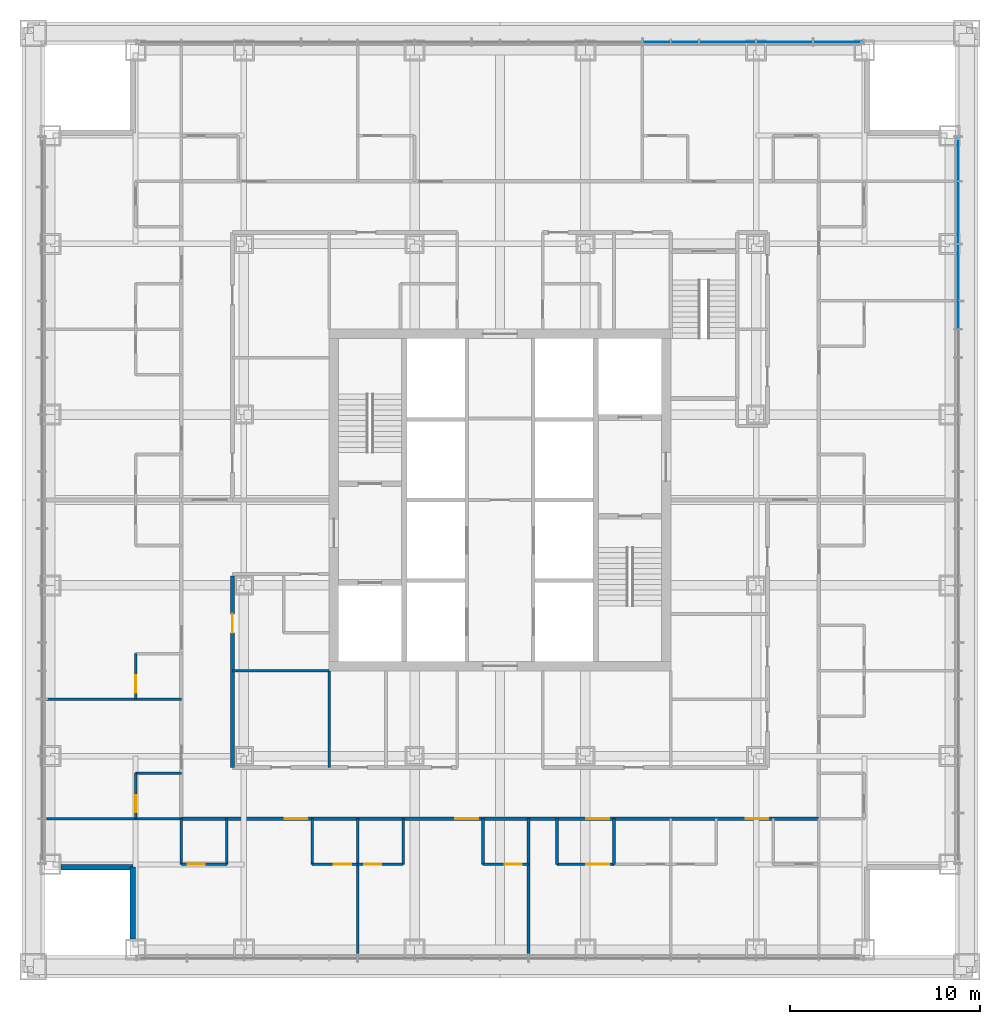
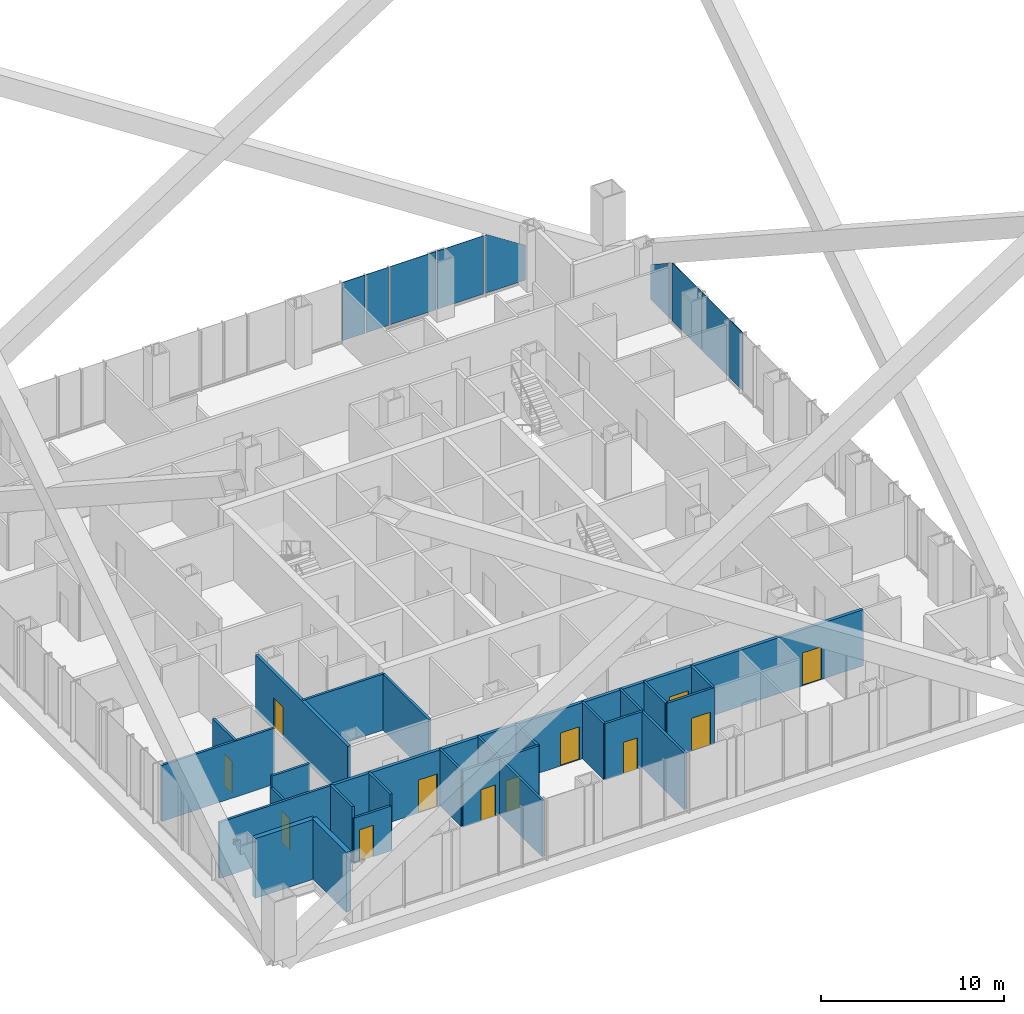
# One storey, part 11 of 21: 25 walls, 12 doors, 9 plates, 12 openings, 2 elements without a shape of their own.
"""IFC4 building model written with IfcOpenShell, lengths in metres."""

from ifc_helpers import new_model, si_unit, direction, frame, frame_2d, origin, origin_2d, place, context, subcontext, project, spatial, polyline, rectangle, outline, extrude, material, layer, layer_set, type_object, element, fill, aggregate, save


model = new_model("IFC4")

# Units and contexts
model_context = context("Model", 3, precision=1e-05, world=origin(), true_north=direction((0.0, 1.0)))
body_context = subcontext(model_context, "Body", "Model", "MODEL_VIEW")
ifc_project = project(units=[si_unit("LENGTHUNIT", "METRE"), si_unit("AREAUNIT", "SQUARE_METRE"), si_unit("VOLUMEUNIT", "CUBIC_METRE"), si_unit("PLANEANGLEUNIT", "RADIAN"), si_unit("MASSUNIT", "GRAM", prefix="KILO")], contexts=[model_context])

# Site, building, storey
site_placement = place(None, origin())
site = spatial("IfcSite", under=ifc_project, at=site_placement, CompositionType="ELEMENT")
building_placement = place(site_placement, origin())
building = spatial("IfcBuilding", under=site, at=building_placement, Name="Malebo Sky Hospital", CompositionType="ELEMENT")
storey_placement = place(building_placement, frame((0.0, 0.0, 140.0)))
storey = spatial("IfcBuildingStorey", under=building, at=storey_placement, Name="L33", CompositionType="ELEMENT", Elevation=140.0)

# Curtain wall, plates
ifc_material_1 = material(Name="Anodised aluminium, natural silver", Category="aluminium")
ifc_layer_1 = layer(ifc_material_1, 0.25)
ifc_layer_set_1 = layer_set([ifc_layer_1], Name="WARD CURTAIN WALL NORTH AND SOUTH")
curtain_wall_type_1 = type_object("IfcCurtainWallType", Name="WARD CURTAIN WALL NORTH AND SOUTH", PredefinedType="NOTDEFINED", material=ifc_layer_set_1)
curtain_wall_1_placement = place(storey_placement, origin())
curtain_wall_1 = element("IfcCurtainWall", 1, at=curtain_wall_1_placement, inside=storey, type_object=curtain_wall_type_1, Name="NS curtain wall N", PredefinedType="NOTDEFINED")
ifc_material_2 = material(Name="Clear low-iron double glazing", Category="glass")
ifc_layer_2 = layer(ifc_material_2, 0.031982421875)
ifc_layer_set_2 = layer_set([ifc_layer_2], Name="VISION PANEL CLEAR 32")
plate_type = type_object("IfcPlateType", Name="VISION PANEL CLEAR 32", PredefinedType="CURTAIN_PANEL", material=ifc_layer_set_2)
plate_1_placement = place(storey_placement, frame((68.25, 86.135009765625, 0.10009765625), z_axis=(0.0, 0.0, 1.0), x_axis=(1.0, 0.0, 0.0)))
plate_1 = element("IfcPlate", 2, at=plate_1_placement, type_object=plate_type, Name="Panel 12", PredefinedType="CURTAIN_PANEL", context=body_context, shape_type="SweptSolid", body=[
    extrude(rectangle(XDim=1.425048828125, YDim=0.031982421875, at=origin_2d()), origin(), (0.0, 0.0, 1.0), 3.889892578125),
])
plate_2_placement = place(storey_placement, frame((69.75, 86.135009765625, 0.10009765625), z_axis=(0.0, 0.0, 1.0), x_axis=(1.0, 0.0, 0.0)))
plate_2 = element("IfcPlate", 3, at=plate_2_placement, type_object=plate_type, Name="Panel 13", PredefinedType="CURTAIN_PANEL", context=body_context, shape_type="SweptSolid", body=[
    extrude(rectangle(XDim=1.425048828125, YDim=0.031982421875, at=origin_2d()), origin(), (0.0, 0.0, 1.0), 3.889892578125),
])
plate_3_placement = place(storey_placement, frame((72.0, 86.135009765625, 0.10009765625), z_axis=(0.0, 0.0, 1.0), x_axis=(1.0, 0.0, 0.0)))
plate_3 = element("IfcPlate", 4, at=plate_3_placement, type_object=plate_type, Name="Panel 14", PredefinedType="CURTAIN_PANEL", context=body_context, shape_type="SweptSolid", body=[
    extrude(rectangle(XDim=2.925048828125, YDim=0.031982421875, at=origin_2d()), origin(), (0.0, 0.0, 1.0), 3.889892578125),
])
plate_4_placement = place(storey_placement, frame((75.0, 86.135009765625, 0.10009765625), z_axis=(0.0, 0.0, 1.0), x_axis=(1.0, 0.0, 0.0)))
plate_4 = element("IfcPlate", 5, at=plate_4_placement, type_object=plate_type, Name="Panel 15", PredefinedType="CURTAIN_PANEL", context=body_context, shape_type="SweptSolid", body=[
    extrude(rectangle(XDim=2.925048828125, YDim=0.031982421875, at=origin_2d()), origin(), (0.0, 0.0, 1.0), 3.889892578125),
])
plate_5_placement = place(storey_placement, frame((77.831298828125, 86.135009765625, 0.10009765625), z_axis=(0.0, 0.0, 1.0), x_axis=(1.0, 0.0, 0.0)))
plate_5 = element("IfcPlate", 6, at=plate_5_placement, type_object=plate_type, Name="Panel 16", PredefinedType="CURTAIN_PANEL", context=body_context, shape_type="SweptSolid", body=[
    extrude(outline(polyline([(-1.293701171875, 0.0), (1.293701171875, 0.0), (1.293701171875, 2.31494140625), (-1.1279296875, 3.889892578125), (-1.293701171875, 3.889892578125), (-1.293701171875, 0.0)])), frame((0.0, 0.01611328125, 0.0), z_axis=(0.0, -1.0, 0.0), x_axis=(1.0, 0.0, 0.0)), (0.0, 0.0, 1.0), 0.031982421875),
])
aggregate(curtain_wall_1, [plate_1, plate_2, plate_3, plate_4, plate_5])

ifc_layer_3 = layer(ifc_material_1, 0.25)
ifc_layer_set_3 = layer_set([ifc_layer_3], Name="WARD CURTAIN WALL EAST AND WEST")
curtain_wall_type_2 = type_object("IfcCurtainWallType", Name="WARD CURTAIN WALL EAST AND WEST", PredefinedType="NOTDEFINED", material=ifc_layer_set_3)
curtain_wall_2_placement = place(storey_placement, origin())
curtain_wall_2 = element("IfcCurtainWall", 7, at=curtain_wall_2_placement, inside=storey, type_object=curtain_wall_type_2, Name="EW curtain wall E", PredefinedType="NOTDEFINED")
plate_6_placement = place(storey_placement, frame((84.135009765625, 79.981201171875, 0.10009765625), z_axis=(0.0, 0.0, 1.0), x_axis=(0.0, -1.0, 0.0)))
plate_6 = element("IfcPlate", 8, at=plate_6_placement, type_object=plate_type, Name="Panel 1", PredefinedType="CURTAIN_PANEL", context=body_context, shape_type="SweptSolid", body=[
    extrude(outline(polyline([(-1.143798828125, 0.0), (1.143798828125, 0.0), (1.143798828125, 3.802734375), (-1.143798828125, 2.31494140625), (-1.143798828125, 0.0)])), frame((0.0, 0.01611328125, 0.0), z_axis=(0.0, -1.0, 0.0), x_axis=(1.0, 0.0, 0.0)), (0.0, 0.0, 1.0), 0.031982421875),
])
plate_7_placement = place(storey_placement, frame((84.135009765625, 77.14990234375, 0.10009765625), z_axis=(0.0, 0.0, 1.0), x_axis=(0.0, -1.0, 0.0)))
plate_7 = element("IfcPlate", 9, at=plate_7_placement, type_object=plate_type, Name="Panel 2", PredefinedType="CURTAIN_PANEL", context=body_context, shape_type="SweptSolid", body=[
    extrude(outline(polyline([(-1.612548828125, 0.0), (1.612548828125, 0.0), (1.612548828125, 3.889892578125), (-1.553466796875, 3.889892578125), (-1.612548828125, 3.8515625), (-1.612548828125, 0.0)])), frame((0.0, 0.01611328125, 0.0), z_axis=(0.0, -1.0, 0.0), x_axis=(1.0, 0.0, 0.0)), (0.0, 0.0, 1.0), 0.031982421875),
])
plate_8_placement = place(storey_placement, frame((84.135009765625, 74.0, 0.10009765625), z_axis=(0.0, 0.0, 1.0), x_axis=(0.0, -1.0, 0.0)))
plate_8 = element("IfcPlate", 10, at=plate_8_placement, type_object=plate_type, Name="Panel 3", PredefinedType="CURTAIN_PANEL", context=body_context, shape_type="SweptSolid", body=[
    extrude(rectangle(XDim=2.925048828125, YDim=0.031982421875, at=origin_2d()), origin(), (0.0, 0.0, 1.0), 3.889892578125),
])
plate_9_placement = place(storey_placement, frame((84.135009765625, 71.75, 0.10009765625), z_axis=(0.0, 0.0, 1.0), x_axis=(0.0, -1.0, 0.0)))
plate_9 = element("IfcPlate", 11, at=plate_9_placement, type_object=plate_type, Name="Panel 4", PredefinedType="CURTAIN_PANEL", context=body_context, shape_type="SweptSolid", body=[
    extrude(rectangle(XDim=1.425048828125, YDim=0.031982421875, at=origin_2d()), origin(), (0.0, 0.0, 1.0), 3.889892578125),
])
aggregate(curtain_wall_2, [plate_6, plate_7, plate_8, plate_9])

# Wall, opening, door
ifc_material_3 = material(Name="Gypsum board on steel studs", Category="steel")
ifc_layer_4 = layer(ifc_material_3, 0.199951171875)
ifc_layer_set_4 = layer_set([ifc_layer_4], Name="CORRIDOR WALL 200")
wall_type_1 = type_object("IfcWallType", Name="CORRIDOR WALL 200", PredefinedType="PARTITIONING", material=ifc_layer_set_4)
wall_1_placement = place(storey_placement, frame((45.89990234375, 47.89990234375, 0.0), z_axis=(0.0, 0.0, 1.0), x_axis=(0.0, 1.0, 0.0)))
wall_1 = element("IfcWall", 12, at=wall_1_placement, inside=storey, type_object=wall_type_1, Name="Corridor Wall 200 WCI1", PredefinedType="PARTITIONING", context=body_context, shape_type="SweptSolid", body=[
    extrude(rectangle(XDim=10.10009765625, YDim=0.199951171875, at=frame_2d((5.050048828125, 0.0))), origin(), (0.0, 0.0, 1.0), 3.75),
])
opening_1_placement = place(wall_1_placement, frame((7.10009765625, 0.0, 0.0)))
opening_1 = element("IfcOpeningElement", 13, at=opening_1_placement, cuts=wall_1, Name="Opening D03", PredefinedType="OPENING", context=body_context, shape_type="SweptSolid", body=[
    extrude(rectangle(XDim=1.0, YDim=2.10009765625, at=frame_2d((0.5, 1.050048828125))), frame((0.0, 0.10986328125, 0.0), z_axis=(0.0, -1.0, 0.0), x_axis=(1.0, 0.0, 0.0)), (0.0, 0.0, 1.0), 0.219970703125),
])
ifc_material_4 = material(Name="Hardwood-faced door leaf in steel frame", Category="steel")
door_type_1 = type_object("IfcDoorType", Name="ROOM DOOR 1000", OperationType="SINGLE_SWING_LEFT", PredefinedType="DOOR", material=ifc_material_4)
door_1_placement = place(opening_1_placement, origin())
door_1 = element("IfcDoor", 14, at=door_1_placement, inside=storey, type_object=door_type_1, Name="Ward office door", OperationType="SINGLE_SWING_LEFT", OverallHeight=2.10009765625, OverallWidth=1.0, PredefinedType="DOOR", context=body_context, shape_type="SweptSolid", body=[
    extrude(rectangle(XDim=1.0, YDim=2.10009765625, at=frame_2d((0.5, 1.050048828125))), frame((0.0, 0.02490234375, 0.0), z_axis=(0.0, -1.0, 0.0), x_axis=(1.0, 0.0, 0.0)), (0.0, 0.0, 1.0), 0.050048828125),
])
fill(opening_1, door_1)

# Wall, openings, doors
wall_2_placement = place(storey_placement, frame((76.800048828125, 45.199951171875, 0.0), z_axis=(0.0, 0.0, 1.0), x_axis=(-1.0, 0.0, 0.0)))
wall_2 = element("IfcWall", 15, at=wall_2_placement, inside=storey, type_object=wall_type_1, Name="Corridor Wall 200 SCO", PredefinedType="PARTITIONING", context=body_context, shape_type="SweptSolid", body=[
    extrude(rectangle(XDim=33.60009765625, YDim=0.199951171875, at=frame_2d((16.800048828125, 0.0))), origin(), (0.0, 0.0, 1.0), 3.75),
])
opening_2_placement = place(wall_2_placement, frame((2.64990234375, 0.0, 0.0)))
opening_2 = element("IfcOpeningElement", 16, at=opening_2_placement, cuts=wall_2, Name="Opening D01", PredefinedType="OPENING", context=body_context, shape_type="SweptSolid", body=[
    extrude(rectangle(XDim=1.199951171875, YDim=2.199951171875, at=frame_2d((0.60009765625, 1.10009765625))), frame((0.0, 0.10986328125, 0.0), z_axis=(0.0, -1.0, 0.0), x_axis=(1.0, 0.0, 0.0)), (0.0, 0.0, 1.0), 0.219970703125),
])
opening_3_placement = place(wall_2_placement, frame((11.050048828125, 0.0, 0.0)))
opening_3 = element("IfcOpeningElement", 17, at=opening_3_placement, cuts=wall_2, Name="Opening D18", PredefinedType="OPENING", context=body_context, shape_type="SweptSolid", body=[
    extrude(rectangle(XDim=1.199951171875, YDim=2.199951171875, at=frame_2d((0.60009765625, 1.10009765625))), frame((0.0, 0.10986328125, 0.0), z_axis=(0.0, -1.0, 0.0), x_axis=(1.0, 0.0, 0.0)), (0.0, 0.0, 1.0), 0.219970703125),
])
opening_4_placement = place(wall_2_placement, frame((17.949951171875, 0.0, 0.0)))
opening_4 = element("IfcOpeningElement", 18, at=opening_4_placement, cuts=wall_2, Name="Opening D01", PredefinedType="OPENING", context=body_context, shape_type="SweptSolid", body=[
    extrude(rectangle(XDim=1.199951171875, YDim=2.199951171875, at=frame_2d((0.60009765625, 1.10009765625))), frame((0.0, 0.10986328125, 0.0), z_axis=(0.0, -1.0, 0.0), x_axis=(1.0, 0.0, 0.0)), (0.0, 0.0, 1.0), 0.219970703125),
])
opening_5_placement = place(wall_2_placement, frame((26.949951171875, 0.0, 0.0)))
opening_5 = element("IfcOpeningElement", 19, at=opening_5_placement, cuts=wall_2, Name="Opening D01", PredefinedType="OPENING", context=body_context, shape_type="SweptSolid", body=[
    extrude(rectangle(XDim=1.199951171875, YDim=2.199951171875, at=frame_2d((0.60009765625, 1.10009765625))), frame((0.0, 0.10986328125, 0.0), z_axis=(0.0, -1.0, 0.0), x_axis=(1.0, 0.0, 0.0)), (0.0, 0.0, 1.0), 0.219970703125),
])
door_type_2 = type_object("IfcDoorType", Name="ANTEROOM DOOR 1200", OperationType="SINGLE_SWING_LEFT", PredefinedType="DOOR", material=ifc_material_4)
door_2_placement = place(opening_3_placement, origin())
door_2 = element("IfcDoor", 20, at=door_2_placement, inside=storey, type_object=door_type_2, Name="Anteroom door", OperationType="SINGLE_SWING_LEFT", OverallHeight=2.199951171875, OverallWidth=1.199951171875, PredefinedType="DOOR", context=body_context, shape_type="SweptSolid", body=[
    extrude(rectangle(XDim=1.199951171875, YDim=2.199951171875, at=frame_2d((0.60009765625, 1.10009765625))), frame((0.0, 0.02490234375, 0.0), z_axis=(0.0, -1.0, 0.0), x_axis=(1.0, 0.0, 0.0)), (0.0, 0.0, 1.0), 0.050048828125),
])
fill(opening_3, door_2)
door_type_3 = type_object("IfcDoorType", Name="BED DOOR 1200", OperationType="SINGLE_SWING_LEFT", PredefinedType="DOOR", material=ifc_material_4)
door_3_placement = place(opening_2_placement, origin())
door_3 = element("IfcDoor", 21, at=door_3_placement, inside=storey, type_object=door_type_3, Name="Four-bed bay door", OperationType="SINGLE_SWING_LEFT", OverallHeight=2.199951171875, OverallWidth=1.199951171875, PredefinedType="DOOR", context=body_context, shape_type="SweptSolid", body=[
    extrude(rectangle(XDim=1.199951171875, YDim=2.199951171875, at=frame_2d((0.60009765625, 1.10009765625))), frame((0.0, 0.02490234375, 0.0), z_axis=(0.0, -1.0, 0.0), x_axis=(1.0, 0.0, 0.0)), (0.0, 0.0, 1.0), 0.050048828125),
])
fill(opening_2, door_3)
door_4_placement = place(opening_4_placement, origin())
door_4 = element("IfcDoor", 22, at=door_4_placement, inside=storey, type_object=door_type_3, Name="Four-bed bay door", OperationType="SINGLE_SWING_LEFT", OverallHeight=2.199951171875, OverallWidth=1.199951171875, PredefinedType="DOOR", context=body_context, shape_type="SweptSolid", body=[
    extrude(rectangle(XDim=1.199951171875, YDim=2.199951171875, at=frame_2d((0.60009765625, 1.10009765625))), frame((0.0, 0.02490234375, 0.0), z_axis=(0.0, -1.0, 0.0), x_axis=(1.0, 0.0, 0.0)), (0.0, 0.0, 1.0), 0.050048828125),
])
fill(opening_4, door_4)
door_5_placement = place(opening_5_placement, origin())
door_5 = element("IfcDoor", 23, at=door_5_placement, inside=storey, type_object=door_type_3, Name="Four-bed bay door", OperationType="SINGLE_SWING_LEFT", OverallHeight=2.199951171875, OverallWidth=1.199951171875, PredefinedType="DOOR", context=body_context, shape_type="SweptSolid", body=[
    extrude(rectangle(XDim=1.199951171875, YDim=2.199951171875, at=frame_2d((0.60009765625, 1.10009765625))), frame((0.0, 0.02490234375, 0.0), z_axis=(0.0, -1.0, 0.0), x_axis=(1.0, 0.0, 0.0)), (0.0, 0.0, 1.0), 0.050048828125),
])
fill(opening_5, door_5)

# Walls
ifc_material_5 = material(Name="Anodised aluminium rainscreen on steel framing", Category="steel")
ifc_layer_5 = layer(ifc_material_5, 0.300048828125)
ifc_layer_set_5 = layer_set([ifc_layer_5], Name="NOTCH RAINSCREEN WALL 300")
wall_type_2 = type_object("IfcWallType", Name="NOTCH RAINSCREEN WALL 300", PredefinedType="ELEMENTEDWALL", material=ifc_layer_set_5)
for number, where, z_axis, x_axis, name in (
    (24, (40.64990234375, 38.85009765625, 0.0), (0.0, 0.0, 1.0), (0.0, 1.0, 0.0), "Notch rainscreen wall S1 L33"),
    (25, (40.64990234375, 42.64990234375, 0.0), (0.0, 0.0, 1.0), (-1.0, 0.0, 0.0), "Notch rainscreen wall S2 L33"),
):
    element("IfcWall", number, at=place(storey_placement, frame(where, z_axis=z_axis, x_axis=x_axis)), inside=storey, type_object=wall_type_2, Name=name, PredefinedType="ELEMENTEDWALL", context=body_context, shape_type="SweptSolid", body=[
        extrude(rectangle(XDim=3.7998046875, YDim=0.300048828125, at=frame_2d((1.89990234375, 0.0))), origin(), (0.0, 0.0, 1.0), 4.0),
    ])
ifc_layer_6 = layer(ifc_material_3, 0.14990234375)
ifc_layer_set_6 = layer_set([ifc_layer_6], Name="PARTITION 150")
wall_type_3 = type_object("IfcWallType", Name="PARTITION 150", PredefinedType="PARTITIONING", material=ifc_layer_set_6)
for number, where, z_axis, x_axis, name in (
    (26, (43.199951171875, 51.5, 0.0), (0.0, 0.0, 1.0), (-1.0, 0.0, 0.0), "Partition 150 WP-10.5"),
    (27, (43.199951171875, 45.199951171875, 0.0), (0.0, 0.0, 1.0), (-1.0, 0.0, 0.0), "Partition 150 WP0"),
):
    element("IfcWall", number, at=place(storey_placement, frame(where, z_axis=z_axis, x_axis=x_axis)), inside=storey, type_object=wall_type_3, Name=name, PredefinedType="PARTITIONING", context=body_context, shape_type="SweptSolid", body=[
        extrude(rectangle(XDim=7.10986328125, YDim=0.14990234375, at=frame_2d((3.554931640625, 0.0))), origin(), (0.0, 0.0, 1.0), 3.75),
    ])

# Wall, opening, door
wall_3_placement = place(storey_placement, frame((40.800048828125, 45.199951171875, 0.0), z_axis=(0.0, 0.0, 1.0), x_axis=(0.0, 1.0, 0.0)))
wall_3 = element("IfcWall", 28, at=wall_3_placement, inside=storey, type_object=wall_type_3, Name="Partition 150 WE0F", PredefinedType="PARTITIONING", context=body_context, shape_type="SweptSolid", body=[
    extrude(rectangle(XDim=2.400146484375, YDim=0.14990234375, at=frame_2d((1.2001953125, 0.0))), origin(), (0.0, 0.0, 1.0), 2.9970703125),
])
opening_6_placement = place(wall_3_placement, frame((0.35009765625, 0.0, 0.0)))
opening_6 = element("IfcOpeningElement", 29, at=opening_6_placement, cuts=wall_3, Name="Opening D02", PredefinedType="OPENING", context=body_context, shape_type="SweptSolid", body=[
    extrude(rectangle(XDim=0.89990234375, YDim=2.10009765625, at=frame_2d((0.449951171875, 1.050048828125))), frame((0.0, 0.0849609375, 0.0), z_axis=(0.0, -1.0, 0.0), x_axis=(1.0, 0.0, 0.0)), (0.0, 0.0, 1.0), 0.169921875),
])
door_type_4 = type_object("IfcDoorType", Name="EN-SUITE DOOR 900", OperationType="SINGLE_SWING_LEFT", PredefinedType="DOOR", material=ifc_material_4)
door_6_placement = place(opening_6_placement, origin())
door_6 = element("IfcDoor", 30, at=door_6_placement, inside=storey, type_object=door_type_4, Name="En-suite door", OperationType="SINGLE_SWING_LEFT", OverallHeight=2.10009765625, OverallWidth=0.89990234375, PredefinedType="DOOR", context=body_context, shape_type="SweptSolid", body=[
    extrude(rectangle(XDim=0.89990234375, YDim=2.10009765625, at=frame_2d((0.449951171875, 1.050048828125))), frame((0.0, 0.02490234375, 0.0), z_axis=(0.0, -1.0, 0.0), x_axis=(1.0, 0.0, 0.0)), (0.0, 0.0, 1.0), 0.050048828125),
])
fill(opening_6, door_6)

# Wall
wall_4_placement = place(storey_placement, frame((43.199951171875, 47.60009765625, 0.0), z_axis=(0.0, 0.0, 1.0), x_axis=(-1.0, 0.0, 0.0)))
element("IfcWall", 31, at=wall_4_placement, inside=storey, type_object=wall_type_3, Name="Partition 150 WE0S", PredefinedType="PARTITIONING", context=body_context, shape_type="SweptSolid", body=[
    extrude(rectangle(XDim=2.39990234375, YDim=0.14990234375, at=frame_2d((1.199951171875, 0.0))), origin(), (0.0, 0.0, 1.0), 3.75),
])

# Wall, opening, door
wall_5_placement = place(storey_placement, frame((40.800048828125, 51.5, 0.0), z_axis=(0.0, 0.0, 1.0), x_axis=(0.0, 1.0, 0.0)))
wall_5 = element("IfcWall", 32, at=wall_5_placement, inside=storey, type_object=wall_type_3, Name="Partition 150 WE1F", PredefinedType="PARTITIONING", context=body_context, shape_type="SweptSolid", body=[
    extrude(rectangle(XDim=2.39990234375, YDim=0.14990234375, at=frame_2d((1.199951171875, 0.0))), origin(), (0.0, 0.0, 1.0), 3.75),
])
opening_7_placement = place(wall_5_placement, frame((0.35009765625, 0.0, 0.0)))
opening_7 = element("IfcOpeningElement", 33, at=opening_7_placement, cuts=wall_5, Name="Opening D02", PredefinedType="OPENING", context=body_context, shape_type="SweptSolid", body=[
    extrude(rectangle(XDim=0.89990234375, YDim=2.10009765625, at=frame_2d((0.449951171875, 1.050048828125))), frame((0.0, 0.0849609375, 0.0), z_axis=(0.0, -1.0, 0.0), x_axis=(1.0, 0.0, 0.0)), (0.0, 0.0, 1.0), 0.169921875),
])
door_7_placement = place(opening_7_placement, origin())
door_7 = element("IfcDoor", 34, at=door_7_placement, inside=storey, type_object=door_type_4, Name="En-suite door", OperationType="SINGLE_SWING_LEFT", OverallHeight=2.10009765625, OverallWidth=0.89990234375, PredefinedType="DOOR", context=body_context, shape_type="SweptSolid", body=[
    extrude(rectangle(XDim=0.89990234375, YDim=2.10009765625, at=frame_2d((0.449951171875, 1.050048828125))), frame((0.0, 0.02490234375, 0.0), z_axis=(0.0, -1.0, 0.0), x_axis=(1.0, 0.0, 0.0)), (0.0, 0.0, 1.0), 0.050048828125),
])
fill(opening_7, door_7)

# Walls
wall_6_placement = place(storey_placement, frame((51.0, 53.0, 0.0), z_axis=(0.0, 0.0, 1.0), x_axis=(-1.0, 0.0, 0.0)))
element("IfcWall", 35, at=wall_6_placement, inside=storey, type_object=wall_type_3, Name="Partition 150 WSP0", PredefinedType="PARTITIONING", context=body_context, shape_type="SweptSolid", body=[
    extrude(rectangle(XDim=5.10009765625, YDim=0.14990234375, at=frame_2d((2.550048828125, 0.0))), origin(), (0.0, 0.0, 1.0), 3.75),
])
for number, where, z_axis, x_axis, name in (
    (36, (61.5, 45.199951171875, 0.0), (0.0, 0.0, 1.0), (0.0, -1.0, 0.0), "Partition 150 SP-1.5"),
    (37, (52.5, 45.199951171875, 0.0), (0.0, 0.0, 1.0), (0.0, -1.0, 0.0), "Partition 150 SP+7.5"),
):
    element("IfcWall", number, at=place(storey_placement, frame(where, z_axis=z_axis, x_axis=x_axis)), inside=storey, type_object=wall_type_3, Name=name, PredefinedType="PARTITIONING", context=body_context, shape_type="SweptSolid", body=[
        extrude(rectangle(XDim=7.10986328125, YDim=0.14990234375, at=frame_2d((3.554931640625, 0.0))), origin(), (0.0, 0.0, 1.0), 3.75),
    ])
wall_7_placement = place(storey_placement, frame((66.0, 45.199951171875, 0.0), z_axis=(0.0, 0.0, 1.0), x_axis=(0.0, -1.0, 0.0)))
element("IfcWall", 38, at=wall_7_placement, inside=storey, type_object=wall_type_3, Name="Partition 150 SE1S", PredefinedType="PARTITIONING", context=body_context, shape_type="SweptSolid", body=[
    extrude(rectangle(XDim=2.39990234375, YDim=0.14990234375, at=frame_2d((1.199951171875, 0.0))), origin(), (0.0, 0.0, 1.0), 3.75),
])

# Wall, opening, door
wall_8_placement = place(storey_placement, frame((61.5, 42.800048828125, 0.0), z_axis=(0.0, 0.0, 1.0), x_axis=(-1.0, 0.0, 0.0)))
wall_8 = element("IfcWall", 39, at=wall_8_placement, inside=storey, type_object=wall_type_3, Name="Partition 150 SE2F", PredefinedType="PARTITIONING", context=body_context, shape_type="SweptSolid", body=[
    extrude(rectangle(XDim=2.39990234375, YDim=0.14990234375, at=frame_2d((1.199951171875, 0.0))), origin(), (0.0, 0.0, 1.0), 3.75),
])
opening_8_placement = place(wall_8_placement, frame((0.35009765625, 0.0, 0.0)))
opening_8 = element("IfcOpeningElement", 40, at=opening_8_placement, cuts=wall_8, Name="Opening D02", PredefinedType="OPENING", context=body_context, shape_type="SweptSolid", body=[
    extrude(rectangle(XDim=0.89990234375, YDim=2.10009765625, at=frame_2d((0.449951171875, 1.050048828125))), frame((0.0, 0.0849609375, 0.0), z_axis=(0.0, -1.0, 0.0), x_axis=(1.0, 0.0, 0.0)), (0.0, 0.0, 1.0), 0.169921875),
])
door_8_placement = place(opening_8_placement, origin())
door_8 = element("IfcDoor", 41, at=door_8_placement, inside=storey, type_object=door_type_4, Name="En-suite door", OperationType="SINGLE_SWING_LEFT", OverallHeight=2.10009765625, OverallWidth=0.89990234375, PredefinedType="DOOR", context=body_context, shape_type="SweptSolid", body=[
    extrude(rectangle(XDim=0.89990234375, YDim=2.10009765625, at=frame_2d((0.449951171875, 1.050048828125))), frame((0.0, 0.02490234375, 0.0), z_axis=(0.0, -1.0, 0.0), x_axis=(1.0, 0.0, 0.0)), (0.0, 0.0, 1.0), 0.050048828125),
])
fill(opening_8, door_8)

# Wall
wall_9_placement = place(storey_placement, frame((59.10009765625, 45.199951171875, 0.0), z_axis=(0.0, 0.0, 1.0), x_axis=(0.0, -1.0, 0.0)))
element("IfcWall", 42, at=wall_9_placement, inside=storey, type_object=wall_type_3, Name="Partition 150 SE2S", PredefinedType="PARTITIONING", context=body_context, shape_type="SweptSolid", body=[
    extrude(rectangle(XDim=2.39990234375, YDim=0.14990234375, at=frame_2d((1.199951171875, 0.0))), origin(), (0.0, 0.0, 1.0), 3.75),
])

# Wall, opening, door
wall_10_placement = place(storey_placement, frame((54.89990234375, 42.800048828125, 0.0), z_axis=(0.0, 0.0, 1.0), x_axis=(-1.0, 0.0, 0.0)))
wall_10 = element("IfcWall", 43, at=wall_10_placement, inside=storey, type_object=wall_type_3, Name="Partition 150 SG2F", PredefinedType="PARTITIONING", context=body_context, shape_type="SweptSolid", body=[
    extrude(rectangle(XDim=2.39990234375, YDim=0.14990234375, at=frame_2d((1.199951171875, 0.0))), origin(), (0.0, 0.0, 1.0), 3.75),
])
opening_9_placement = place(wall_10_placement, frame((1.14990234375, 0.0, 0.0)))
opening_9 = element("IfcOpeningElement", 44, at=opening_9_placement, cuts=wall_10, Name="Opening D02", PredefinedType="OPENING", context=body_context, shape_type="SweptSolid", body=[
    extrude(rectangle(XDim=0.89990234375, YDim=2.10009765625, at=frame_2d((0.449951171875, 1.050048828125))), frame((0.0, 0.0849609375, 0.0), z_axis=(0.0, -1.0, 0.0), x_axis=(1.0, 0.0, 0.0)), (0.0, 0.0, 1.0), 0.169921875),
])
door_9_placement = place(opening_9_placement, origin())
door_9 = element("IfcDoor", 45, at=door_9_placement, inside=storey, type_object=door_type_4, Name="En-suite door", OperationType="SINGLE_SWING_RIGHT", OverallHeight=2.10009765625, OverallWidth=0.89990234375, PredefinedType="DOOR", context=body_context, shape_type="SweptSolid", body=[
    extrude(rectangle(XDim=0.89990234375, YDim=2.10009765625, at=frame_2d((0.449951171875, 1.050048828125))), frame((0.0, 0.02490234375, 0.0), z_axis=(0.0, -1.0, 0.0), x_axis=(1.0, 0.0, 0.0)), (0.0, 0.0, 1.0), 0.050048828125),
])
fill(opening_9, door_9)

# Wall
wall_11_placement = place(storey_placement, frame((54.89990234375, 45.199951171875, 0.0), z_axis=(0.0, 0.0, 1.0), x_axis=(0.0, -1.0, 0.0)))
element("IfcWall", 46, at=wall_11_placement, inside=storey, type_object=wall_type_3, Name="Partition 150 SG2S", PredefinedType="PARTITIONING", context=body_context, shape_type="SweptSolid", body=[
    extrude(rectangle(XDim=2.39990234375, YDim=0.14990234375, at=frame_2d((1.199951171875, 0.0))), origin(), (0.0, 0.0, 1.0), 3.75),
])

# Wall, opening, door
wall_12_placement = place(storey_placement, frame((52.5, 42.800048828125, 0.0), z_axis=(0.0, 0.0, 1.0), x_axis=(-1.0, 0.0, 0.0)))
wall_12 = element("IfcWall", 47, at=wall_12_placement, inside=storey, type_object=wall_type_3, Name="Partition 150 SE3F", PredefinedType="PARTITIONING", context=body_context, shape_type="SweptSolid", body=[
    extrude(rectangle(XDim=2.39990234375, YDim=0.14990234375, at=frame_2d((1.199951171875, 0.0))), origin(), (0.0, 0.0, 1.0), 3.75),
])
opening_10_placement = place(wall_12_placement, frame((0.35009765625, 0.0, 0.0)))
opening_10 = element("IfcOpeningElement", 48, at=opening_10_placement, cuts=wall_12, Name="Opening D02", PredefinedType="OPENING", context=body_context, shape_type="SweptSolid", body=[
    extrude(rectangle(XDim=0.89990234375, YDim=2.10009765625, at=frame_2d((0.449951171875, 1.050048828125))), frame((0.0, 0.0849609375, 0.0), z_axis=(0.0, -1.0, 0.0), x_axis=(1.0, 0.0, 0.0)), (0.0, 0.0, 1.0), 0.169921875),
])
door_10_placement = place(opening_10_placement, origin())
door_10 = element("IfcDoor", 49, at=door_10_placement, inside=storey, type_object=door_type_4, Name="En-suite door", OperationType="SINGLE_SWING_LEFT", OverallHeight=2.10009765625, OverallWidth=0.89990234375, PredefinedType="DOOR", context=body_context, shape_type="SweptSolid", body=[
    extrude(rectangle(XDim=0.89990234375, YDim=2.10009765625, at=frame_2d((0.449951171875, 1.050048828125))), frame((0.0, 0.02490234375, 0.0), z_axis=(0.0, -1.0, 0.0), x_axis=(1.0, 0.0, 0.0)), (0.0, 0.0, 1.0), 0.050048828125),
])
fill(opening_10, door_10)

# Wall
wall_13_placement = place(storey_placement, frame((50.10009765625, 45.199951171875, 0.0), z_axis=(0.0, 0.0, 1.0), x_axis=(0.0, -1.0, 0.0)))
element("IfcWall", 50, at=wall_13_placement, inside=storey, type_object=wall_type_3, Name="Partition 150 SE3S", PredefinedType="PARTITIONING", context=body_context, shape_type="SweptSolid", body=[
    extrude(rectangle(XDim=2.39990234375, YDim=0.14990234375, at=frame_2d((1.199951171875, 0.0))), origin(), (0.0, 0.0, 1.0), 3.75),
])

# Wall, opening, door
wall_14_placement = place(storey_placement, frame((45.60009765625, 42.800048828125, 0.0), z_axis=(0.0, 0.0, 1.0), x_axis=(-1.0, 0.0, 0.0)))
wall_14 = element("IfcWall", 51, at=wall_14_placement, inside=storey, type_object=wall_type_3, Name="Partition 150 SG3F", PredefinedType="PARTITIONING", context=body_context, shape_type="SweptSolid", body=[
    extrude(rectangle(XDim=2.400146484375, YDim=0.14990234375, at=frame_2d((1.2001953125, 0.0))), origin(), (0.0, 0.0, 1.0), 2.9970703125),
])
opening_11_placement = place(wall_14_placement, frame((1.14990234375, 0.0, 0.0)))
opening_11 = element("IfcOpeningElement", 52, at=opening_11_placement, cuts=wall_14, Name="Opening D02", PredefinedType="OPENING", context=body_context, shape_type="SweptSolid", body=[
    extrude(rectangle(XDim=0.89990234375, YDim=2.10009765625, at=frame_2d((0.449951171875, 1.050048828125))), frame((0.0, 0.0849609375, 0.0), z_axis=(0.0, -1.0, 0.0), x_axis=(1.0, 0.0, 0.0)), (0.0, 0.0, 1.0), 0.169921875),
])
door_11_placement = place(opening_11_placement, origin())
door_11 = element("IfcDoor", 53, at=door_11_placement, inside=storey, type_object=door_type_4, Name="En-suite door", OperationType="SINGLE_SWING_RIGHT", OverallHeight=2.10009765625, OverallWidth=0.89990234375, PredefinedType="DOOR", context=body_context, shape_type="SweptSolid", body=[
    extrude(rectangle(XDim=0.89990234375, YDim=2.10009765625, at=frame_2d((0.449951171875, 1.050048828125))), frame((0.0, 0.02490234375, 0.0), z_axis=(0.0, -1.0, 0.0), x_axis=(1.0, 0.0, 0.0)), (0.0, 0.0, 1.0), 0.050048828125),
])
fill(opening_11, door_11)

# Walls
for number, where, z_axis, x_axis, name in (
    (54, (45.60009765625, 45.199951171875, 0.0), (0.0, 0.0, 1.0), (0.0, -1.0, 0.0), "Partition 150 SG3S"),
    (55, (43.199951171875, 45.199951171875, 0.0), (0.0, 0.0, 1.0), (0.0, -1.0, 0.0), "Partition 150 SEZ"),
):
    element("IfcWall", number, at=place(storey_placement, frame(where, z_axis=z_axis, x_axis=x_axis)), inside=storey, type_object=wall_type_3, Name=name, PredefinedType="PARTITIONING", context=body_context, shape_type="SweptSolid", body=[
        extrude(rectangle(XDim=2.39990234375, YDim=0.14990234375, at=frame_2d((1.199951171875, 0.0))), origin(), (0.0, 0.0, 1.0), 3.75),
    ])
wall_15_placement = place(storey_placement, frame((51.0, 53.0, 0.0), z_axis=(0.0, 0.0, 1.0), x_axis=(0.0, -1.0, 0.0)))
element("IfcWall", 56, at=wall_15_placement, inside=storey, type_object=wall_type_3, Name="Partition 150 SSP+9.0", PredefinedType="PARTITIONING", context=body_context, shape_type="SweptSolid", body=[
    extrude(rectangle(XDim=5.10009765625, YDim=0.14990234375, at=frame_2d((2.550048828125, 0.0))), origin(), (0.0, 0.0, 1.0), 3.75),
])

# Wall, opening, door
ifc_material_6 = material(Name="Sealed gypsum board on steel studs, taped to the slab", Category="steel")
ifc_layer_7 = layer(ifc_material_6, 0.14990234375)
ifc_layer_set_7 = layer_set([ifc_layer_7], Name="SEALED ISOLATION PARTITION 150")
wall_type_4 = type_object("IfcWallType", Name="SEALED ISOLATION PARTITION 150", PredefinedType="PARTITIONING", material=ifc_layer_set_7)
wall_16_placement = place(storey_placement, frame((66.0, 42.800048828125, 0.0), z_axis=(0.0, 0.0, 1.0), x_axis=(-1.0, 0.0, 0.0)))
wall_16 = element("IfcWall", 57, at=wall_16_placement, inside=storey, type_object=wall_type_4, Name="Sealed Isolation Partition 150 SA1F", PredefinedType="PARTITIONING", context=body_context, shape_type="SweptSolid", body=[
    extrude(rectangle(XDim=3.0, YDim=0.14990234375, at=frame_2d((1.5, 0.0))), origin(), (0.0, 0.0, 1.0), 3.75),
])
opening_12_placement = place(wall_16_placement, frame((0.25, 0.0, 0.0)))
opening_12 = element("IfcOpeningElement", 58, at=opening_12_placement, cuts=wall_16, Name="Opening D19", PredefinedType="OPENING", context=body_context, shape_type="SweptSolid", body=[
    extrude(rectangle(XDim=1.199951171875, YDim=2.199951171875, at=frame_2d((0.60009765625, 1.10009765625))), frame((0.0, 0.0849609375, 0.0), z_axis=(0.0, -1.0, 0.0), x_axis=(1.0, 0.0, 0.0)), (0.0, 0.0, 1.0), 0.169921875),
])
ifc_material_7 = material(Name="Hardwood-faced door leaf with perimeter seals in steel frame", Category="steel")
door_type_5 = type_object("IfcDoorType", Name="SEALED ISOLATION ROOM DOOR 1200", OperationType="SINGLE_SWING_LEFT", PredefinedType="DOOR", material=ifc_material_7)
door_12_placement = place(opening_12_placement, origin())
door_12 = element("IfcDoor", 59, at=door_12_placement, inside=storey, type_object=door_type_5, Name="Isolation room door", OperationType="SINGLE_SWING_LEFT", OverallHeight=2.199951171875, OverallWidth=1.199951171875, PredefinedType="DOOR", context=body_context, shape_type="SweptSolid", body=[
    extrude(rectangle(XDim=1.199951171875, YDim=2.199951171875, at=frame_2d((0.60009765625, 1.10009765625))), frame((0.0, 0.02490234375, 0.0), z_axis=(0.0, -1.0, 0.0), x_axis=(1.0, 0.0, 0.0)), (0.0, 0.0, 1.0), 0.050048828125),
])
fill(opening_12, door_12)

# Wall
wall_17_placement = place(storey_placement, frame((63.0, 45.199951171875, 0.0), z_axis=(0.0, 0.0, 1.0), x_axis=(0.0, -1.0, 0.0)))
element("IfcWall", 60, at=wall_17_placement, inside=storey, type_object=wall_type_4, Name="Sealed Isolation Partition 150 SA1S", PredefinedType="PARTITIONING", context=body_context, shape_type="SweptSolid", body=[
    extrude(rectangle(XDim=2.39990234375, YDim=0.14990234375, at=frame_2d((1.199951171875, 0.0))), origin(), (0.0, 0.0, 1.0), 3.75),
])

save(model, "model.ifc")
